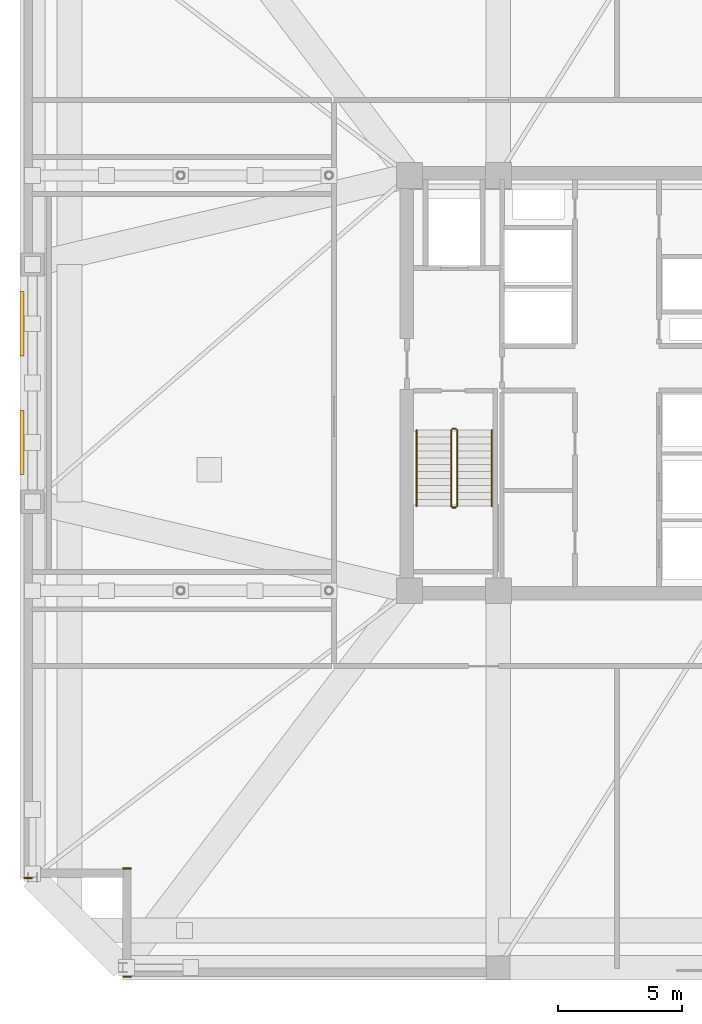
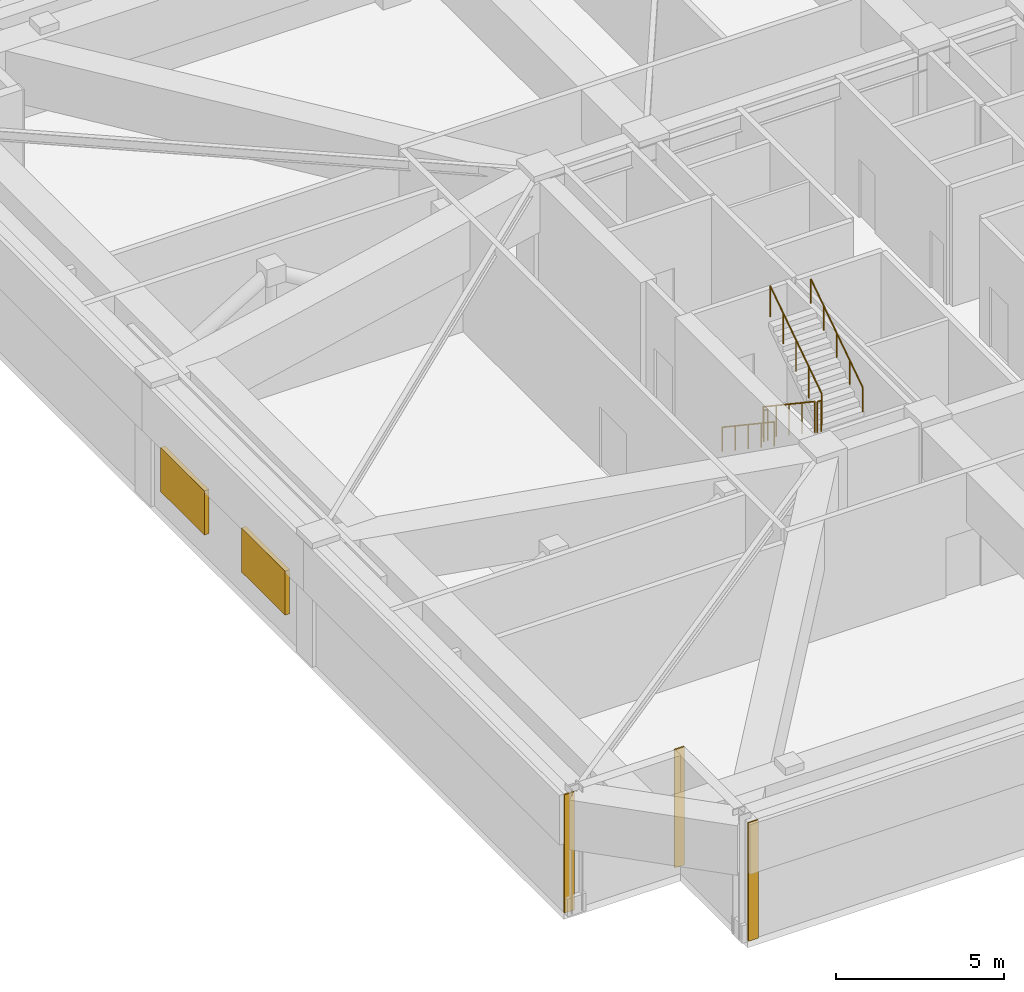
# One storey, part 10 of 13: 6 railings, 3 coverings, 2 shading devices.
"""IFC4 building model written with IfcOpenShell, lengths in metres."""

from ifc_helpers import new_model, si_unit, direction, frame, frame_2d, origin, origin_2d, place, context, subcontext, project, spatial, rectangle, circle, extrude, material, layer, layer_set, type_object, element, save


model = new_model("IFC4")

# Units and contexts
model_context = context("Model", 3, precision=1e-05, world=origin(), true_north=direction((0.0, 1.0)))
body_context = subcontext(model_context, "Body", "Model", "MODEL_VIEW")
ifc_project = project(units=[si_unit("LENGTHUNIT", "METRE"), si_unit("AREAUNIT", "SQUARE_METRE"), si_unit("VOLUMEUNIT", "CUBIC_METRE"), si_unit("PLANEANGLEUNIT", "RADIAN"), si_unit("MASSUNIT", "GRAM", prefix="KILO")], contexts=[model_context])

# Site, building, storey
site_placement = place(None, origin())
site = spatial("IfcSite", under=ifc_project, at=site_placement, CompositionType="ELEMENT")
building_placement = place(site_placement, origin())
building = spatial("IfcBuilding", under=site, at=building_placement, Name="Cairnveth Concourse Tower", CompositionType="ELEMENT")
storey_placement = place(building_placement, frame((0.0, 0.0, 193.5)))
storey = spatial("IfcBuildingStorey", under=building, at=storey_placement, Name="L53", CompositionType="ELEMENT", Elevation=193.5)

# Coverings
ifc_material_1 = material(Name="Dressed Melbourne Bluestone Cladding", Category="masonry")
ifc_layer = layer(ifc_material_1, 0.050048828125)
ifc_layer_set = layer_set([ifc_layer], Name="Dressed Melbourne Bluestone Cladding")
covering_type = type_object("IfcCoveringType", Name="DRESSED BLUESTONE PLINTH CLADDING 50", PredefinedType="CLADDING", material=ifc_layer_set)
for number, where, z_axis, x_axis, name in (
    (1, (32.340087890625, 14.97998046875, 0.0), (0.0, 0.0, 1.0), (-1.0, 0.0, 0.0), "Melbourne Bluestone Corner Quoin L53-787"),
    (2, (32.340087890625, 19.360107421875, 0.0), (0.0, 0.0, 1.0), (-1.0, 0.0, 0.0), "Melbourne Bluestone Corner Quoin L53-788"),
    (3, (28.340087890625, 18.97998046875, 0.0), (0.0, 0.0, 1.0), (-1.0, 0.0, 0.0), "Melbourne Bluestone Corner Quoin L53-789"),
):
    element("IfcCovering", number, at=place(storey_placement, frame(where, z_axis=z_axis, x_axis=x_axis)), inside=storey, type_object=covering_type, Name=name, PredefinedType="CLADDING", context=body_context, shape_type="SweptSolid", body=[
        extrude(rectangle(XDim=0.340087890625, YDim=0.050048828125, at=frame_2d((0.169921875, 0.0))), origin(), (0.0, 0.0, 1.0), 4.2900390625),
    ])

# Shading devices
ifc_material_2 = material(Name="Architectural Bronze Anodised Aluminium 6063-T6", Category="aluminium")
shading_device_type = type_object("IfcShadingDeviceType", Name="PLANT ACOUSTIC WEATHER LOUVRE", PredefinedType="JALOUSIE", material=ifc_material_2)
for number, where, z_axis, x_axis, name in (
    (4, (27.924072265625, 36.60009765625, 0.949951171875), (0.0, 0.0, 1.0), (1.0, 0.0, 0.0), "Plant Acoustic Weather Louvre L53-2-1"),
    (5, (27.924072265625, 41.39990234375, 0.949951171875), (0.0, 0.0, 1.0), (1.0, 0.0, 0.0), "Plant Acoustic Weather Louvre L53-2-2"),
):
    element("IfcShadingDevice", number, at=place(storey_placement, frame(where, z_axis=z_axis, x_axis=x_axis)), inside=storey, type_object=shading_device_type, Name=name, PredefinedType="JALOUSIE", context=body_context, shape_type="SweptSolid", body=[
        extrude(rectangle(XDim=0.159912109375, YDim=2.60009765625, at=origin_2d()), origin(), (0.0, 0.0, 1.0), 1.60009765625),
    ])

# Railings
ifc_material_3 = material(Name="Steel Grade 350", Category="steel")
railing_type_1 = type_object("IfcRailingType", Name="STAIR GUARDRAIL 1150", PredefinedType="GUARDRAIL", material=ifc_material_3)
railing_1_placement = place(storey_placement, frame((45.2900390625, 37.10009765625, 0.1875)))
element("IfcRailing", 6, at=railing_1_placement, inside=storey, type_object=railing_type_1, Name="L53 ST-1 stair guard 1", PredefinedType="GUARDRAIL", context=body_context, shape_type="SweptSolid", body=[
    extrude(circle(Radius=0.02392578125, at=origin_2d()), frame((0.0, 0.0, 1.1259765625), z_axis=(0.0, -0.830913701846, 0.55640131208), x_axis=(1.0, 0.0, 0.0)), (0.0, 0.0, 1.0), 3.706787109375),
    extrude(circle(Radius=0.02099609375, at=origin_2d()), origin(), (0.0, 0.0, 1.0), 1.101806640625),
    extrude(circle(Radius=0.02099609375, at=origin_2d()), frame((0.0, -0.77001953125, 0.515625)), (0.0, 0.0, 1.0), 1.101806640625),
    extrude(circle(Radius=0.02099609375, at=origin_2d()), frame((0.0, -1.5400390625, 1.03125)), (0.0, 0.0, 1.0), 1.101806640625),
    extrude(circle(Radius=0.02099609375, at=origin_2d()), frame((0.0, -2.31005859375, 1.546875)), (0.0, 0.0, 1.0), 1.101806640625),
    extrude(circle(Radius=0.02099609375, at=origin_2d()), frame((0.0, -3.080078125, 2.0625)), (0.0, 0.0, 1.0), 1.101806640625),
])
railing_2_placement = place(storey_placement, frame((45.340087890625, 33.969970703125, 2.25)))
element("IfcRailing", 7, at=railing_2_placement, inside=storey, type_object=railing_type_1, Name="L53 ST-1 stair guard 2", PredefinedType="GUARDRAIL", context=body_context, shape_type="SweptSolid", body=[
    extrude(circle(Radius=0.02392578125, at=origin_2d()), frame((0.0, 0.0, 1.1259765625), z_axis=(1.0, 0.0, 0.0), x_axis=(0.0, 1.0, 0.0)), (0.0, 0.0, 1.0), 0.139892578125),
    extrude(circle(Radius=0.02099609375, at=origin_2d()), origin(), (0.0, 0.0, 1.0), 1.101806640625),
    extrude(circle(Radius=0.02099609375, at=origin_2d()), frame((0.139892578125, 0.0, 0.0)), (0.0, 0.0, 1.0), 1.101806640625),
])
railing_3_placement = place(storey_placement, frame((45.530029296875, 34.02001953125, 2.4375)))
element("IfcRailing", 8, at=railing_3_placement, inside=storey, type_object=railing_type_1, Name="L53 ST-1 stair guard 3", PredefinedType="GUARDRAIL", context=body_context, shape_type="SweptSolid", body=[
    extrude(circle(Radius=0.02392578125, at=origin_2d()), frame((0.0, 0.0, 1.1259765625), z_axis=(0.0, 0.830913701846, 0.55640131208), x_axis=(-1.0, 0.0, 0.0)), (0.0, 0.0, 1.0), 3.706787109375),
    extrude(circle(Radius=0.02099609375, at=origin_2d()), origin(), (0.0, 0.0, 1.0), 1.101806640625),
    extrude(circle(Radius=0.02099609375, at=origin_2d()), frame((0.0, 0.77001953125, 0.515625)), (0.0, 0.0, 1.0), 1.101806640625),
    extrude(circle(Radius=0.02099609375, at=origin_2d()), frame((0.0, 1.5400390625, 1.03125)), (0.0, 0.0, 1.0), 1.101806640625),
    extrude(circle(Radius=0.02099609375, at=origin_2d()), frame((0.0, 2.31005859375, 1.546875)), (0.0, 0.0, 1.0), 1.101806640625),
    extrude(circle(Radius=0.02099609375, at=origin_2d()), frame((0.0, 3.080078125, 2.0625)), (0.0, 0.0, 1.0), 1.101806640625),
])
railing_4_placement = place(storey_placement, frame((45.340087890625, 37.14990234375, 0.0)))
element("IfcRailing", 9, at=railing_4_placement, inside=storey, type_object=railing_type_1, Name="L53 ST-1 stair guard 4", PredefinedType="GUARDRAIL", context=body_context, shape_type="SweptSolid", body=[
    extrude(circle(Radius=0.02392578125, at=origin_2d()), frame((0.0, 0.0, 1.1259765625), z_axis=(1.0, 0.0, 0.0), x_axis=(0.0, 1.0, 0.0)), (0.0, 0.0, 1.0), 0.139892578125),
    extrude(circle(Radius=0.02099609375, at=origin_2d()), origin(), (0.0, 0.0, 1.0), 1.101806640625),
    extrude(circle(Radius=0.02099609375, at=origin_2d()), frame((0.139892578125, 0.0, 0.0)), (0.0, 0.0, 1.0), 1.101806640625),
])
railing_type_2 = type_object("IfcRailingType", Name="STAIR WALL HANDRAIL 900", PredefinedType="HANDRAIL", material=ifc_material_3)
railing_5_placement = place(storey_placement, frame((43.889892578125, 37.10009765625, 0.1875)))
element("IfcRailing", 10, at=railing_5_placement, inside=storey, type_object=railing_type_2, Name="L53 ST-1 stair handrail 1", PredefinedType="HANDRAIL", context=body_context, shape_type="SweptSolid", body=[
    extrude(circle(Radius=0.02392578125, at=origin_2d()), frame((0.0, 0.0, 0.8759765625), z_axis=(0.0, -0.830913701846, 0.55640131208), x_axis=(1.0, 0.0, 0.0)), (0.0, 0.0, 1.0), 3.706787109375),
    extrude(circle(Radius=0.02099609375, at=origin_2d()), origin(), (0.0, 0.0, 1.0), 0.851806640625),
    extrude(circle(Radius=0.02099609375, at=origin_2d()), frame((0.0, -0.77001953125, 0.515625)), (0.0, 0.0, 1.0), 0.851806640625),
    extrude(circle(Radius=0.02099609375, at=origin_2d()), frame((0.0, -1.5400390625, 1.03125)), (0.0, 0.0, 1.0), 0.851806640625),
    extrude(circle(Radius=0.02099609375, at=origin_2d()), frame((0.0, -2.31005859375, 1.546875)), (0.0, 0.0, 1.0), 0.851806640625),
    extrude(circle(Radius=0.02099609375, at=origin_2d()), frame((0.0, -3.080078125, 2.0625)), (0.0, 0.0, 1.0), 0.851806640625),
])
railing_6_placement = place(storey_placement, frame((46.929931640625, 34.02001953125, 2.4375)))
element("IfcRailing", 11, at=railing_6_placement, inside=storey, type_object=railing_type_2, Name="L53 ST-1 stair handrail 2", PredefinedType="HANDRAIL", context=body_context, shape_type="SweptSolid", body=[
    extrude(circle(Radius=0.02392578125, at=origin_2d()), frame((0.0, 0.0, 0.8759765625), z_axis=(0.0, 0.830913701846, 0.55640131208), x_axis=(-1.0, 0.0, 0.0)), (0.0, 0.0, 1.0), 3.706787109375),
    extrude(circle(Radius=0.02099609375, at=origin_2d()), origin(), (0.0, 0.0, 1.0), 0.851806640625),
    extrude(circle(Radius=0.02099609375, at=origin_2d()), frame((0.0, 0.77001953125, 0.515625)), (0.0, 0.0, 1.0), 0.851806640625),
    extrude(circle(Radius=0.02099609375, at=origin_2d()), frame((0.0, 1.5400390625, 1.03125)), (0.0, 0.0, 1.0), 0.851806640625),
    extrude(circle(Radius=0.02099609375, at=origin_2d()), frame((0.0, 2.31005859375, 1.546875)), (0.0, 0.0, 1.0), 0.851806640625),
    extrude(circle(Radius=0.02099609375, at=origin_2d()), frame((0.0, 3.080078125, 2.0625)), (0.0, 0.0, 1.0), 0.851806640625),
])

save(model, "model.ifc")
